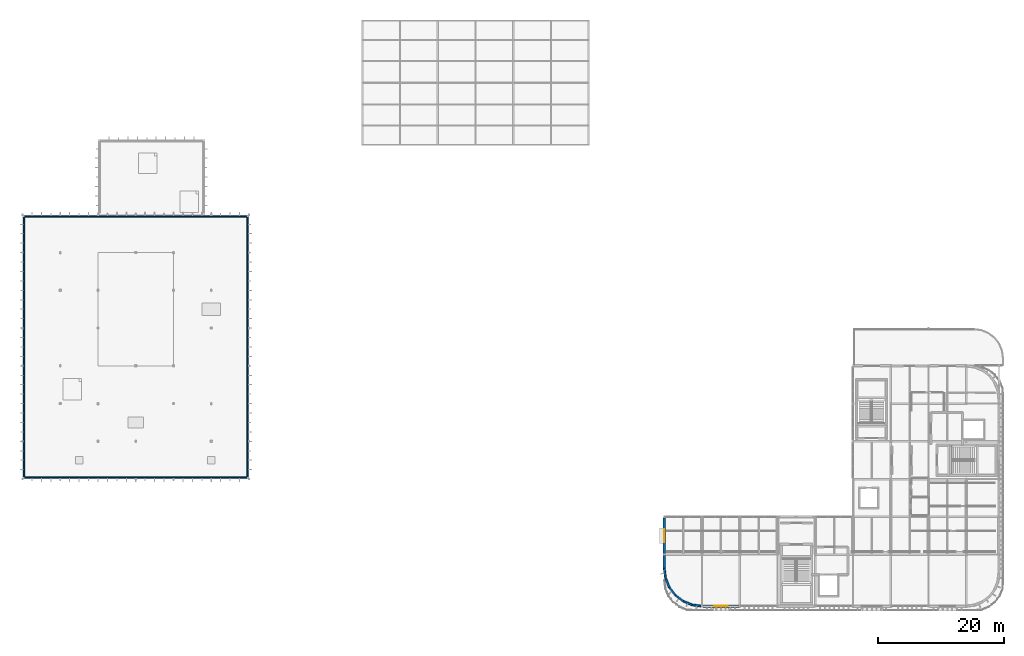
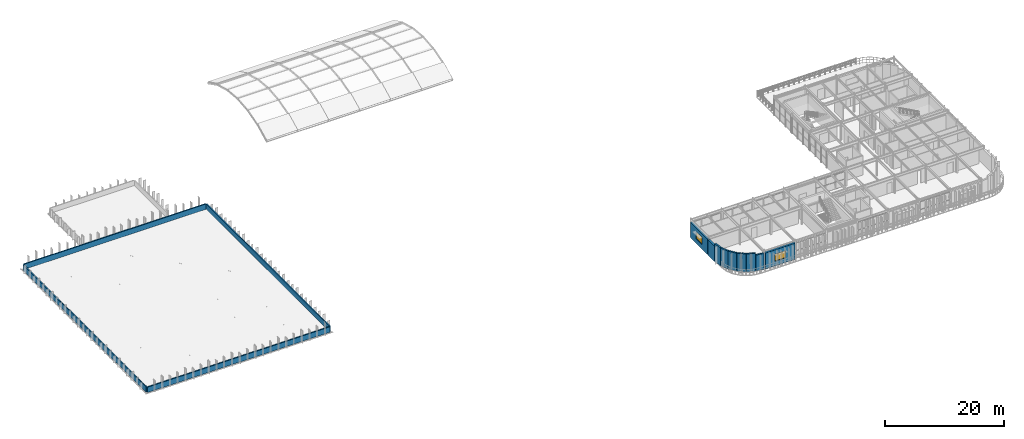
# One storey, part 15 of 27: 13 walls, 2 windows, 2 openings.
"""IFC4 building model written with IfcOpenShell, lengths in metres."""

from ifc_helpers import new_model, si_unit, direction, frame, frame_2d, origin, place, context, subcontext, project, spatial, rectangle, extrude, material, layer, layer_set, type_object, element, fill, save


model = new_model("IFC4")

# Units and contexts
model_context = context("Model", 3, precision=1e-05, world=origin(), true_north=direction((0.0, 1.0)))
body_context = subcontext(model_context, "Body", "Model", "MODEL_VIEW")
ifc_project = project(units=[si_unit("LENGTHUNIT", "METRE"), si_unit("AREAUNIT", "SQUARE_METRE"), si_unit("VOLUMEUNIT", "CUBIC_METRE"), si_unit("PLANEANGLEUNIT", "RADIAN"), si_unit("MASSUNIT", "GRAM", prefix="KILO")], contexts=[model_context])

# Site, building, storey
site_placement = place(None, origin())
site = spatial("IfcSite", under=ifc_project, at=site_placement, CompositionType="ELEMENT")
building_placement = place(site_placement, origin())
building = spatial("IfcBuilding", under=site, at=building_placement, Name="Varnakota Square Police Headquarters", CompositionType="ELEMENT")
storey_placement = place(building_placement, frame((0.0, 0.0, 26.10009765625)))
storey = spatial("IfcBuildingStorey", under=building, at=storey_placement, Name="L06", CompositionType="ELEMENT", Elevation=26.10009765625)

# Walls
ifc_material_1 = material(Name="Precast concrete M40", Category="concrete")
ifc_layer_1 = layer(ifc_material_1, 0.300048828125, Name="Precast concrete M40")
ifc_layer_set_1 = layer_set([ifc_layer_1], Name="Precast concrete M40")
wall_type_1 = type_object("IfcWallType", Name="WL-EXT-300", PredefinedType="SOLIDWALL", material=ifc_layer_set_1)
wall_1_placement = place(storey_placement, frame((108.0, 6.800048828125, 0.0), z_axis=(0.0, 0.0, 1.0), x_axis=(0.130458544462, -0.991453765022, 0.0)))
element("IfcWall", 1, at=wall_1_placement, inside=storey, type_object=wall_type_1, Name="Exterior wall EW-L06-0332", PredefinedType="SOLIDWALL", context=body_context, shape_type="SweptSolid", body=[
    extrude(rectangle(XDim=1.56640625, YDim=0.300048828125, at=frame_2d((0.783203125, 0.0))), origin(), (0.0, 0.0, 1.0), 3.684814453125),
])
wall_2_placement = place(storey_placement, frame((108.204345703125, 5.2470703125, 0.0), z_axis=(0.0, 0.0, 1.0), x_axis=(0.382677606907, -0.923881945474, 0.0)))
element("IfcWall", 2, at=wall_2_placement, inside=storey, type_object=wall_type_1, Name="Exterior wall EW-L06-0333", PredefinedType="SOLIDWALL", context=body_context, shape_type="SweptSolid", body=[
    extrude(rectangle(XDim=1.566162109375, YDim=0.300048828125, at=frame_2d((0.783203125, 0.0))), origin(), (0.0, 0.0, 1.0), 3.684814453125),
])
for number, where, z_axis, x_axis, name in (
    (3, (108.8037109375, 3.800048828125, 0.0), (0.0, 0.0, 1.0), (0.608791411033, -0.793330333374, 0.0), "Exterior wall EW-L06-0334"),
    (4, (109.75732421875, 2.557373046875, 0.0), (0.0, 0.0, 1.0), (0.793330333374, -0.608791411033, 0.0), "Exterior wall EW-L06-0335"),
):
    element("IfcWall", number, at=place(storey_placement, frame(where, z_axis=z_axis, x_axis=x_axis)), inside=storey, type_object=wall_type_1, Name=name, PredefinedType="SOLIDWALL", context=body_context, shape_type="SweptSolid", body=[
        extrude(rectangle(XDim=1.56640625, YDim=0.300048828125, at=frame_2d((0.783203125, 0.0))), origin(), (0.0, 0.0, 1.0), 3.684814453125),
    ])
wall_3_placement = place(storey_placement, frame((111.0, 1.603759765625, 0.0), z_axis=(0.0, 0.0, 1.0), x_axis=(0.923881945474, -0.382677606907, 0.0)))
element("IfcWall", 5, at=wall_3_placement, inside=storey, type_object=wall_type_1, Name="Exterior wall EW-L06-0336", PredefinedType="SOLIDWALL", context=body_context, shape_type="SweptSolid", body=[
    extrude(rectangle(XDim=1.566162109375, YDim=0.300048828125, at=frame_2d((0.783203125, 0.0))), origin(), (0.0, 0.0, 1.0), 3.684814453125),
])
wall_4_placement = place(storey_placement, frame((112.447021484375, 1.00439453125, 0.0), z_axis=(0.0, 0.0, 1.0), x_axis=(0.99145137358, -0.130476717562, 0.0)))
element("IfcWall", 6, at=wall_4_placement, inside=storey, type_object=wall_type_1, Name="Exterior wall EW-L06-0337", PredefinedType="SOLIDWALL", context=body_context, shape_type="SweptSolid", body=[
    extrude(rectangle(XDim=1.422119140625, YDim=0.300048828125, at=frame_2d((0.7109375, 0.0))), origin(), (0.0, 0.0, 1.0), 3.27978515625),
])

# Wall, opening, window
ifc_material_2 = material(Name="Concrete M40", Category="concrete")
ifc_layer_2 = layer(ifc_material_2, 0.360107421875, Name="Concrete M40")
ifc_layer_set_2 = layer_set([ifc_layer_2], Name="Concrete M40")
wall_type_2 = type_object("IfcWallType", Name="WL-EXT-360", PredefinedType="SOLIDWALL", material=ifc_layer_set_2)
wall_5_placement = place(storey_placement, frame((114.12890625, 0.800048828125, 0.0), z_axis=(0.0, 0.0, 1.0), x_axis=(1.0, 0.0, 0.0)))
wall_5 = element("IfcWall", 7, at=wall_5_placement, inside=storey, type_object=wall_type_2, Name="Exterior wall EW-L06-0316", PredefinedType="SOLIDWALL", context=body_context, shape_type="SweptSolid", body=[
    extrude(rectangle(XDim=5.76708984375, YDim=0.360107421875, at=frame_2d((2.883544921875, 0.0))), origin(), (0.0, 0.0, 1.0), 3.27978515625),
])
opening_1_placement = place(wall_5_placement, frame((1.83349609375, 0.0, 0.89990234375)))
opening_1 = element("IfcOpeningElement", 8, at=opening_1_placement, cuts=wall_5, Name="Opening W08", PredefinedType="OPENING", context=body_context, shape_type="SweptSolid", body=[
    extrude(rectangle(XDim=2.10009765625, YDim=1.5, at=frame_2d((1.050048828125, 0.75))), frame((0.0, 0.18994140625, 0.0), z_axis=(0.0, -1.0, 0.0), x_axis=(1.0, 0.0, 0.0)), (0.0, 0.0, 1.0), 0.380126953125),
])
ifc_material_3 = material(Name="Thermally Broken Aluminium Double-Glazed Window", Category="aluminium")
window_type = type_object("IfcWindowType", Name="WIN-08", PartitioningType="SINGLE_PANEL", PredefinedType="WINDOW", material=ifc_material_3)
window_1_placement = place(opening_1_placement, origin())
window_1 = element("IfcWindow", 9, at=window_1_placement, inside=storey, type_object=window_type, Name="Window WN-L06-0054", OverallHeight=1.5, OverallWidth=2.10009765625, PartitioningType="SINGLE_PANEL", PredefinedType="WINDOW", context=body_context, shape_type="SweptSolid", body=[
    extrude(rectangle(XDim=2.10009765625, YDim=1.5, at=frame_2d((1.050048828125, 0.75))), frame((0.0, 0.030029296875, 0.0), z_axis=(0.0, -1.0, 0.0), x_axis=(1.0, 0.0, 0.0)), (0.0, 0.0, 1.0), 0.06005859375),
])
fill(opening_1, window_1)

# Wall
wall_6_placement = place(storey_placement, frame((108.0, 6.800048828125, 0.0), z_axis=(0.0, 0.0, 1.0), x_axis=(0.0, 1.0, 0.0)))
element("IfcWall", 10, at=wall_6_placement, inside=storey, type_object=wall_type_2, Name="Exterior wall EW-L06-0327", PredefinedType="SOLIDWALL", context=body_context, shape_type="SweptSolid", body=[
    extrude(rectangle(XDim=2.071044921875, YDim=0.360107421875, at=frame_2d((1.03564453125, 0.0))), origin(), (0.0, 0.0, 1.0), 3.179931640625),
])

# Wall, opening, window
wall_7_placement = place(storey_placement, frame((108.0, 9.12890625, 0.0), z_axis=(0.0, 0.0, 1.0), x_axis=(0.0, 1.0, 0.0)))
wall_7 = element("IfcWall", 11, at=wall_7_placement, inside=storey, type_object=wall_type_2, Name="Exterior wall EW-L06-0328", PredefinedType="SOLIDWALL", context=body_context, shape_type="SweptSolid", body=[
    extrude(rectangle(XDim=5.717041015625, YDim=0.360107421875, at=frame_2d((2.8583984375, 0.0))), origin(), (0.0, 0.0, 1.0), 3.179931640625),
])
opening_2_placement = place(wall_7_placement, frame((1.80859375, 0.0, 0.89990234375)))
opening_2 = element("IfcOpeningElement", 12, at=opening_2_placement, cuts=wall_7, Name="Opening W08", PredefinedType="OPENING", context=body_context, shape_type="SweptSolid", body=[
    extrude(rectangle(XDim=2.10009765625, YDim=1.5, at=frame_2d((1.050048828125, 0.75))), frame((0.0, 0.18994140625, 0.0), z_axis=(0.0, -1.0, 0.0), x_axis=(1.0, 0.0, 0.0)), (0.0, 0.0, 1.0), 0.380126953125),
])
window_2_placement = place(opening_2_placement, origin())
window_2 = element("IfcWindow", 13, at=window_2_placement, inside=storey, type_object=window_type, Name="Window WN-L06-0057", OverallHeight=1.5, OverallWidth=2.10009765625, PartitioningType="SINGLE_PANEL", PredefinedType="WINDOW", context=body_context, shape_type="SweptSolid", body=[
    extrude(rectangle(XDim=2.10009765625, YDim=1.5, at=frame_2d((1.050048828125, 0.75))), frame((0.0, 0.030029296875, 0.0), z_axis=(0.0, -1.0, 0.0), x_axis=(1.0, 0.0, 0.0)), (0.0, 0.0, 1.0), 0.06005859375),
])
fill(opening_2, window_2)

# Walls
ifc_layer_3 = layer(ifc_material_1, 0.2099609375, Name="Precast concrete M40")
ifc_layer_set_3 = layer_set([ifc_layer_3], Name="Precast concrete M40")
wall_type_3 = type_object("IfcWallType", Name="WL-PAR-210", PredefinedType="PARAPET", material=ifc_layer_set_3)
wall_8_placement = place(storey_placement, frame((6.35498046875, 21.25, 0.0), z_axis=(0.0, 0.0, 1.0), x_axis=(1.0, 0.0, 0.0)))
element("IfcWall", 14, at=wall_8_placement, inside=storey, type_object=wall_type_3, Name="Roof parapet wall PAR-L06-019", PredefinedType="PARAPET", context=body_context, shape_type="SweptSolid", body=[
    extrude(rectangle(XDim=35.2900390625, YDim=0.2099609375, at=frame_2d((17.64501953125, 0.0))), origin(), (0.0, 0.0, 1.0), 1.099853515625),
])
wall_9_placement = place(storey_placement, frame((41.75, 21.35498046875, 0.0), z_axis=(0.0, 0.0, 1.0), x_axis=(0.0, 1.0, 0.0)))
element("IfcWall", 15, at=wall_9_placement, inside=storey, type_object=wall_type_3, Name="Roof parapet wall PAR-L06-020", PredefinedType="PARAPET", context=body_context, shape_type="SweptSolid", body=[
    extrude(rectangle(XDim=41.2900390625, YDim=0.2099609375, at=frame_2d((20.64501953125, 0.0))), origin(), (0.0, 0.0, 1.0), 1.099853515625),
])
wall_10_placement = place(storey_placement, frame((41.64501953125, 62.75, 0.0), z_axis=(0.0, 0.0, 1.0), x_axis=(-1.0, 0.0, 0.0)))
element("IfcWall", 16, at=wall_10_placement, inside=storey, type_object=wall_type_3, Name="Roof parapet wall PAR-L06-021", PredefinedType="PARAPET", context=body_context, shape_type="SweptSolid", body=[
    extrude(rectangle(XDim=35.2900390625, YDim=0.2099609375, at=frame_2d((17.64501953125, 0.0))), origin(), (0.0, 0.0, 1.0), 1.099853515625),
])
wall_11_placement = place(storey_placement, frame((6.25, 62.64501953125, 0.0), z_axis=(0.0, 0.0, 1.0), x_axis=(0.0, -1.0, 0.0)))
element("IfcWall", 17, at=wall_11_placement, inside=storey, type_object=wall_type_3, Name="Roof parapet wall PAR-L06-022", PredefinedType="PARAPET", context=body_context, shape_type="SweptSolid", body=[
    extrude(rectangle(XDim=41.2900390625, YDim=0.2099609375, at=frame_2d((20.64501953125, 0.0))), origin(), (0.0, 0.0, 1.0), 1.099853515625),
])

save(model, "model.ifc")
